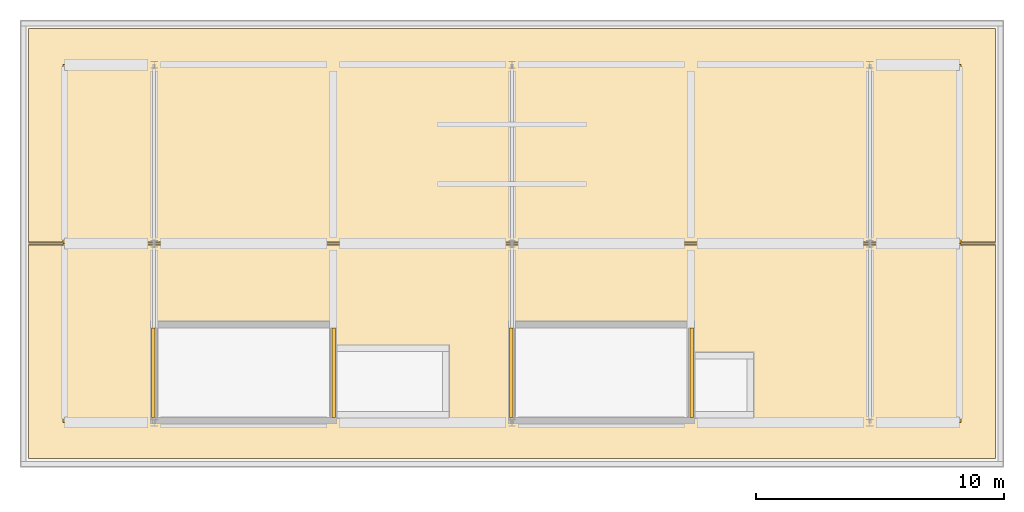
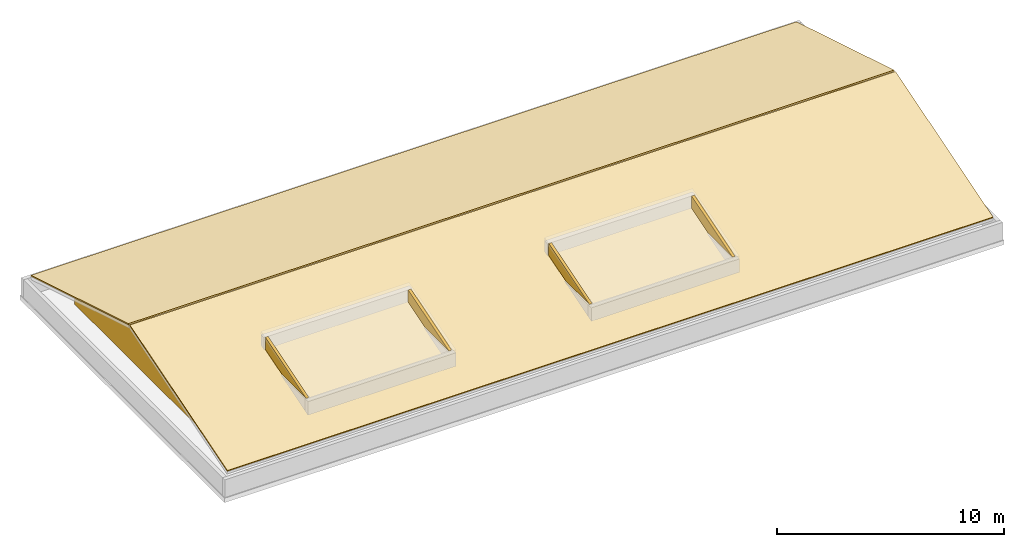
# One storey, part 3 of 3: 8 coverings.
"""IFC4 building model written with IfcOpenShell, lengths in metres."""

from ifc_helpers import new_model, si_unit, direction, frame, origin, place, context, subcontext, project, spatial, polyline, outline, extrude, material, layer, layer_set, type_object, element, save


model = new_model("IFC4")

# Units and contexts
model_context = context("Model", 3, precision=1e-05, world=origin(), true_north=direction((0.0, 1.0)))
body_context = subcontext(model_context, "Body", "Model", "MODEL_VIEW")
ifc_project = project(units=[si_unit("LENGTHUNIT", "METRE"), si_unit("AREAUNIT", "SQUARE_METRE"), si_unit("VOLUMEUNIT", "CUBIC_METRE"), si_unit("PLANEANGLEUNIT", "RADIAN"), si_unit("MASSUNIT", "GRAM", prefix="KILO")], contexts=[model_context])

# Site, building, storey
site_placement = place(None, origin())
site = spatial("IfcSite", under=ifc_project, at=site_placement, CompositionType="ELEMENT")
building_placement = place(site_placement, origin())
building = spatial("IfcBuilding", under=site, at=building_placement, Name="Suanplinth Sawtooth Commons", CompositionType="ELEMENT")
storey_placement = place(building_placement, frame((0.0, 0.0, 54.10009765625)))
storey = spatial("IfcBuildingStorey", under=building, at=storey_placement, Name="RF", CompositionType="ELEMENT", Elevation=54.10009765625)

# Coverings
ifc_material_1 = material(Name="Insulated zinc-aluminium architectural wall panel", Category="aluminium")
ifc_layer_1 = layer(ifc_material_1, 0.139892578125, Name="Insulated architectural gable tympanum cladding 140mm")
ifc_layer_set_1 = layer_set([ifc_layer_1], Name="Insulated zinc-aluminium architectural wall panel")
covering_type_1 = type_object("IfcCoveringType", Name="CV-CL02", PredefinedType="CLADDING", material=ifc_layer_set_1)
for number, where, z_axis, x_axis, name in (
    (1, (39.60009765625, 108.0, 0.0), (0.0, 0.0, 1.0), (0.0, 1.0, 0.0), "RF Block A Crown W Gable Tympanum"),
    (2, (75.60009765625, 108.0, 0.0), (0.0, 0.0, 1.0), (0.0, 1.0, 0.0), "RF Block A Crown E Gable Tympanum"),
):
    element("IfcCovering", number, at=place(storey_placement, frame(where, z_axis=z_axis, x_axis=x_axis)), inside=storey, type_object=covering_type_1, Name=name, PredefinedType="CLADDING", context=body_context, shape_type="SweptSolid", body=[
        extrude(outline(polyline([(0.0, 0.0), (14.39990234375, 0.0), (14.39990234375, 1.449951171875), (7.199951171875, 3.539794921875), (0.0, 1.449951171875), (0.0, 0.0)])), frame((0.0, 0.06982421875, 0.0), z_axis=(0.0, -1.0, 0.0), x_axis=(1.0, 0.0, 0.0)), (0.0, 0.0, 1.0), 0.139892578125),
    ])
for number, where, z_axis, x_axis, name in (
    (3, (43.169921875, 108.205078125, 2.2998046875), (0.0, 0.0, 1.0), (0.0, 1.0, 0.0), "Stair ST-N1 Headhouse Rake Cladding W"),
    (4, (50.429931640625, 108.205078125, 2.2998046875), (0.0, 0.0, 1.0), (0.0, 1.0, 0.0), "Stair ST-N1 Headhouse Rake Cladding E"),
    (5, (57.570068359375, 108.205078125, 2.2998046875), (0.0, 0.0, 1.0), (0.0, 1.0, 0.0), "Stair ST-N2 Headhouse Rake Cladding W"),
    (6, (64.830078125, 108.205078125, 2.2998046875), (0.0, 0.0, 1.0), (0.0, 1.0, 0.0), "Stair ST-N2 Headhouse Rake Cladding E"),
):
    element("IfcCovering", number, at=place(storey_placement, frame(where, z_axis=z_axis, x_axis=x_axis)), inside=storey, type_object=covering_type_1, Name=name, PredefinedType="CLADDING", context=body_context, shape_type="SweptSolid", body=[
        extrude(outline(polyline([(0.0, 0.0), (3.58984375, 0.0), (3.590087890625, 1.10009765625), (0.0, 0.0), (0.0, 0.0)])), frame((0.0, 0.06982421875, 0.0), z_axis=(0.0, -1.0, 0.0), x_axis=(1.0, 0.0, 0.0)), (0.0, 0.0, 1.0), 0.139892578125),
    ])
ifc_material_2 = material(Name="Standing-seam zinc-aluminium alloy sheet", Category="aluminium")
ifc_layer_2 = layer(ifc_material_2, 0.06494140625, Name="Standing-seam zinc-aluminium roof cladding 65mm")
ifc_layer_set_2 = layer_set([ifc_layer_2], Name="Standing-seam zinc-aluminium alloy sheet")
covering_type_2 = type_object("IfcCoveringType", Name="CV-RF01", PredefinedType="ROOFING", material=ifc_layer_set_2)
covering_1_placement = place(storey_placement, frame((38.14990234375, 106.550048828125, 1.15478515625), z_axis=(0.0, -0.290734147069, 0.956803875268), x_axis=(1.0, 0.0, 0.0)))
element("IfcCovering", 7, at=covering_1_placement, inside=storey, type_object=covering_type_2, Name="RF Block A Crown South Standing-Seam Roof", PredefinedType="ROOFING", context=body_context, shape_type="SweptSolid", body=[
    extrude(outline(polyline([(0.0, 0.0), (38.900146484375, 0.0), (38.900146484375, 8.977643143004796), (0.0, 8.977643143004796), (0.0, 0.0)])), origin(), (0.0, 0.0, -1.0), 0.06494140625),
])
covering_2_placement = place(storey_placement, frame((38.14990234375, 123.85009765625, 1.15478515625), z_axis=(0.0, 0.290726582471, 0.956806173812), x_axis=(1.0, 0.0, 0.0)))
element("IfcCovering", 8, at=covering_2_placement, inside=storey, type_object=covering_type_2, Name="RF Block A Crown North Standing-Seam Roof", PredefinedType="ROOFING", context=body_context, shape_type="SweptSolid", body=[
    extrude(outline(polyline([(0.0, 0.0), (38.900146484375, 0.0), (38.900146484375, -8.977876737981493), (0.0, -8.977876737981493), (0.0, 0.0)])), origin(), (0.0, 0.0, -1.0), 0.06494140625),
])

save(model, "model.ifc")
